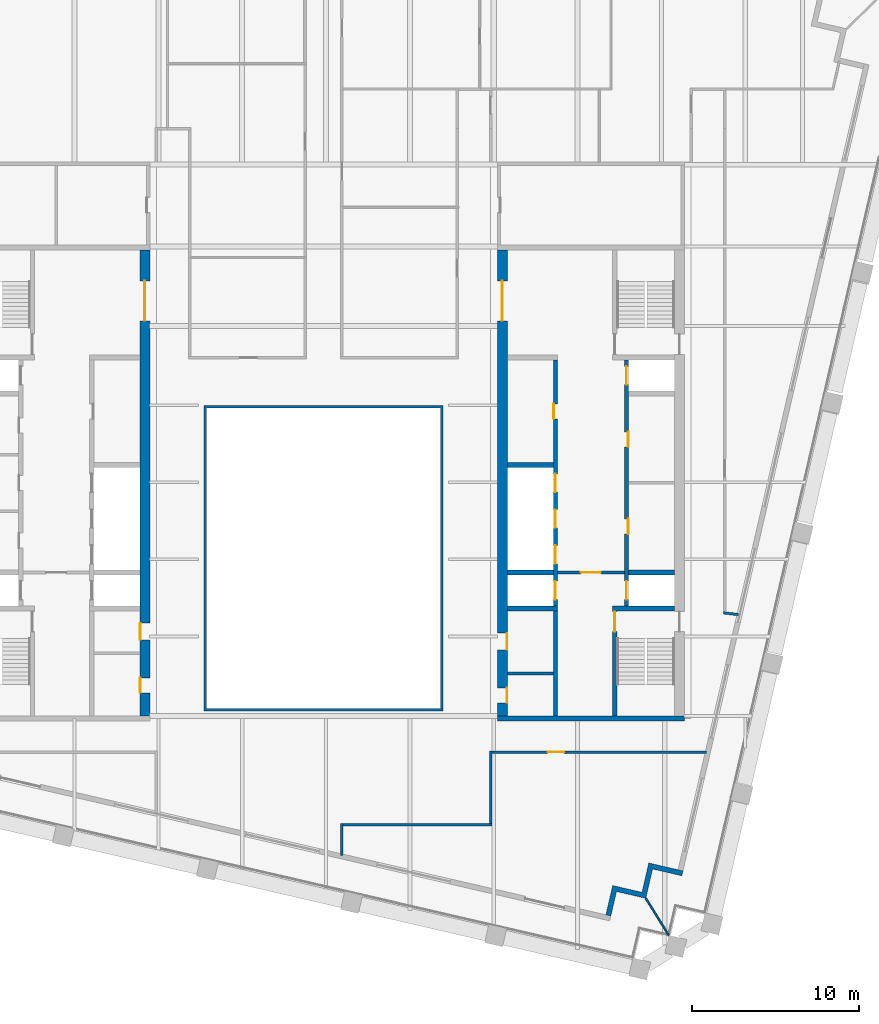
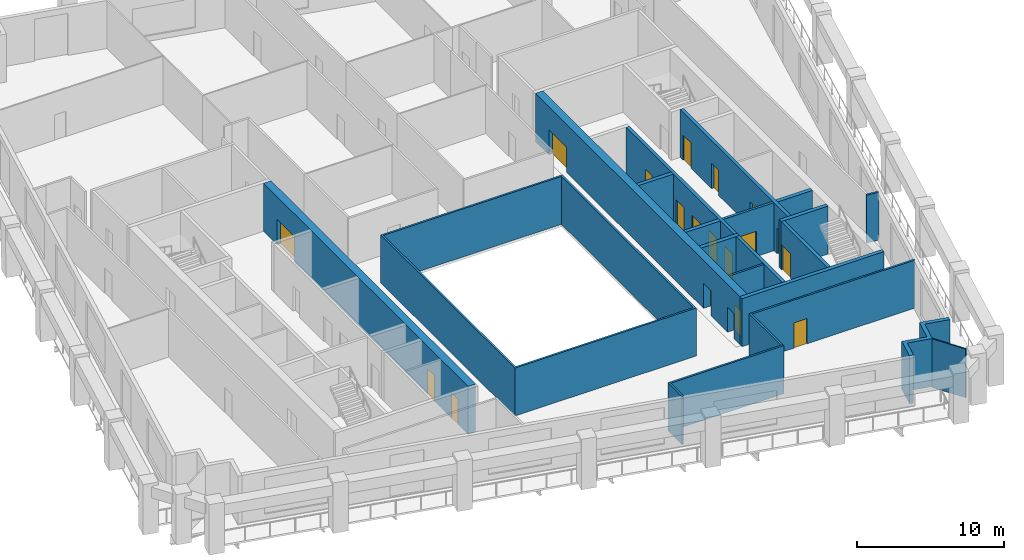
# One storey, part 5 of 10: 21 walls, 18 doors, 18 openings.
"""IFC4 building model written with IfcOpenShell, lengths in metres."""

from ifc_helpers import new_model, si_unit, direction, frame, frame_2d, origin, place, context, subcontext, project, spatial, polyline, rectangle, outline, extrude, material, layer, layer_set, type_object, element, fill, save


model = new_model("IFC4")

# Units and contexts
model_context = context("Model", 3, precision=1e-05, world=origin(), true_north=direction((0.0, 1.0)))
body_context = subcontext(model_context, "Body", "Model", "MODEL_VIEW")
ifc_project = project(units=[si_unit("LENGTHUNIT", "METRE"), si_unit("AREAUNIT", "SQUARE_METRE"), si_unit("VOLUMEUNIT", "CUBIC_METRE"), si_unit("PLANEANGLEUNIT", "RADIAN"), si_unit("MASSUNIT", "GRAM", prefix="KILO")], contexts=[model_context])

# Site, building, storey
site_placement = place(None, origin())
site = spatial("IfcSite", under=ifc_project, at=site_placement, CompositionType="ELEMENT")
building_placement = place(site_placement, origin())
building = spatial("IfcBuilding", under=site, at=building_placement, Name="Ogive Exchange Tower", CompositionType="ELEMENT")
storey_placement = place(building_placement, frame((0.0, 0.0, 251.39990234375)))
storey = spatial("IfcBuildingStorey", under=building, at=storey_placement, Name="L54", CompositionType="ELEMENT", Elevation=251.39990234375)

# Walls
ifc_material_1 = material(Name="Gypsum board partition")
ifc_layer_1 = layer(ifc_material_1, 0.14990234375)
ifc_layer_set_1 = layer_set([ifc_layer_1], Name="Core room partition 150 gypsum")
wall_type_1 = type_object("IfcWallType", Name="Core room partition 150 gypsum", PredefinedType="PARTITIONING", material=ifc_layer_set_1)
wall_1_placement = place(storey_placement, frame((11.0, 0.10009765625, 0.0), z_axis=(0.0, 0.0, 1.0), x_axis=(1.0, 0.0, 0.0)))
element("IfcWall", 1, at=wall_1_placement, inside=storey, type_object=wall_type_1, Name="E south room partition", PredefinedType="PARTITIONING", context=body_context, shape_type="SweptSolid", body=[
    extrude(rectangle(XDim=2.75, YDim=0.14990234375, at=frame_2d((1.375, 0.0))), origin(), (0.0, 0.0, 1.0), 4.0),
])
ifc_material_2 = material(Name="Fire partition EI 60 150")
ifc_layer_2 = layer(ifc_material_2, 0.14990234375)
ifc_layer_set_2 = layer_set([ifc_layer_2], Name="Fire partition EI 60 150")
wall_type_2 = type_object("IfcWallType", Name="Fire partition EI 60 150", PredefinedType="PARTITIONING", material=ifc_layer_set_2)
wall_2_placement = place(storey_placement, frame((1.10009765625, -8.864990234375, 0.0), z_axis=(0.0, 0.0, 1.0), x_axis=(0.0, -1.0, 0.0)))
element("IfcWall", 2, at=wall_2_placement, inside=storey, type_object=wall_type_2, Name="L54-PWL-027", PredefinedType="PARTITIONING", context=body_context, shape_type="SweptSolid", body=[
    extrude(rectangle(XDim=1.9130859375, YDim=0.14990234375, at=frame_2d((0.95654296875, 0.0))), origin(), (0.0, 0.0, 1.0), 4.0),
])
wall_3_placement = place(storey_placement, frame((10.074951171875, -8.93994140625, 0.0), z_axis=(0.0, 0.0, 1.0), x_axis=(-1.0, 0.0, 0.0)))
element("IfcWall", 3, at=wall_3_placement, inside=storey, type_object=wall_type_2, Name="L54-PWL-042", PredefinedType="PARTITIONING", context=body_context, shape_type="SweptSolid", body=[
    extrude(rectangle(XDim=8.89990234375, YDim=0.14990234375, at=frame_2d((4.449951171875, 0.0))), origin(), (0.0, 0.0, 1.0), 4.0),
])
wall_4_placement = place(storey_placement, frame((10.0, -4.52490234375, 0.0), z_axis=(0.0, 0.0, 1.0), x_axis=(0.0, -1.0, 0.0)))
element("IfcWall", 4, at=wall_4_placement, inside=storey, type_object=wall_type_2, Name="L54-PWL-043", PredefinedType="PARTITIONING", context=body_context, shape_type="SweptSolid", body=[
    extrude(rectangle(XDim=4.340087890625, YDim=0.14990234375, at=frame_2d((2.169921875, 0.0))), origin(), (0.0, 0.0, 1.0), 4.0),
])

# Wall, opening, door
wall_5_placement = place(storey_placement, frame((22.922119140625, -4.60009765625, 0.0), z_axis=(0.0, 0.0, 1.0), x_axis=(-1.0, 0.0, 0.0)))
wall_5 = element("IfcWall", 5, at=wall_5_placement, inside=storey, type_object=wall_type_2, Name="L54-PWL-051", PredefinedType="PARTITIONING", context=body_context, shape_type="SweptSolid", body=[
    extrude(rectangle(XDim=12.84716796875, YDim=0.14990234375, at=frame_2d((6.423583984375, 0.0))), origin(), (0.0, 0.0, 1.0), 4.0),
])
opening_1_placement = place(wall_5_placement, frame((8.52197265625, 0.0, 0.0)))
opening_1 = element("IfcOpeningElement", 6, at=opening_1_placement, cuts=wall_5, Name="Opening L54-I15", PredefinedType="OPENING", context=body_context, shape_type="SweptSolid", body=[
    extrude(rectangle(XDim=1.0, YDim=2.10009765625, at=frame_2d((0.5, 1.050048828125))), frame((0.0, 0.0849609375, 0.0), z_axis=(0.0, -1.0, 0.0), x_axis=(1.0, 0.0, 0.0)), (0.0, 0.0, 1.0), 0.169921875),
])
ifc_material_3 = material(Name="Fire door FD 30S 1000 x 2100")
door_type_1 = type_object("IfcDoorType", Name="Fire door FD 30S 1000 x 2100", OperationType="NOTDEFINED", PredefinedType="DOOR", material=ifc_material_3)
door_1_placement = place(opening_1_placement, origin())
door_1 = element("IfcDoor", 7, at=door_1_placement, inside=storey, type_object=door_type_1, Name="L54-IDR-015", ObjectType="DT3", OperationType="SINGLE_SWING_LEFT", OverallHeight=2.10009765625, OverallWidth=1.0, PredefinedType="DOOR", context=body_context, shape_type="SweptSolid", body=[
    extrude(rectangle(XDim=1.0, YDim=2.10009765625, at=frame_2d((0.5, 1.050048828125))), frame((0.0, 0.02490234375, 0.0), z_axis=(0.0, -1.0, 0.0), x_axis=(1.0, 0.0, 0.0)), (0.0, 0.0, 1.0), 0.050048828125),
])
fill(opening_1, door_1)

# Walls
wall_6_placement = place(storey_placement, frame((23.925048828125, 3.72900390625, 0.0), z_axis=(0.0, 0.0, 1.0), x_axis=(0.993316052643, -0.115426251616, 0.0)))
element("IfcWall", 8, at=wall_6_placement, inside=storey, type_object=wall_type_2, Name="L54-PWL-054", PredefinedType="PARTITIONING", context=body_context, shape_type="SweptSolid", body=[
    extrude(rectangle(XDim=0.901123046875, YDim=0.14990234375, at=frame_2d((0.45068359375, 0.0))), origin(), (0.0, 0.0, 1.0), 4.0),
])
ifc_material_4 = material(Name="Fire-resisting glass in steel frame", Category="steel")
ifc_layer_3 = layer(ifc_material_4, 0.14990234375)
ifc_layer_set_3 = layer_set([ifc_layer_3], Name="Fire-rated glazed wall 150")
wall_type_3 = type_object("IfcWallType", Name="Fire-rated glazed wall 150", PredefinedType="STANDARD", material=ifc_layer_set_3)
wall_7_placement = place(storey_placement, origin())
element("IfcWall", 9, at=wall_7_placement, inside=storey, type_object=wall_type_3, Name="Nave enclosure wall", PredefinedType="STANDARD", context=body_context, shape_type="SweptSolid", body=[
    extrude(outline(polyline([(-7.14990234375, -2.14990234375), (7.14990234375, -2.14990234375), (7.14990234375, 16.14990234375), (-7.14990234375, 16.14990234375), (-7.14990234375, -2.14990234375)]), holes=[polyline([(-7.0, -2.0), (-7.0, 16.0), (7.0, 16.0), (7.0, -2.0), (-7.0, -2.0)])]), origin(), (0.0, 0.0, 1.0), 4.0),
])
ifc_material_5 = material(Name="Precast concrete C40/50", Category="concrete")
ifc_layer_4 = layer(ifc_material_5, 0.300048828125)
ifc_layer_set_4 = layer_set([ifc_layer_4], Name="Limestone-faced wall 300")
wall_type_4 = type_object("IfcWallType", Name="Limestone-faced wall 300", PredefinedType="STANDARD", material=ifc_layer_set_4)
wall_8_placement = place(storey_placement, origin())
element("IfcWall", 10, at=wall_8_placement, inside=storey, type_object=wall_type_4, Name="External corner wall C1", PredefinedType="STANDARD", context=body_context, shape_type="SweptSolid", body=[
    extrude(outline(polyline([(19.053955078125, -12.993408203125), (19.458740234375, -11.239501953125), (21.5048828125, -11.7119140625), (21.4375, -12.004150390625), (19.68359375, -11.599365234375), (19.27880859375, -13.353271484375), (17.52490234375, -12.9482421875), (17.1875, -14.409912109375), (16.89501953125, -14.34228515625), (17.300048828125, -12.58837890625), (19.053955078125, -12.993408203125)])), origin(), (0.0, 0.0, 1.0), 4.0),
])
ifc_material_6 = material(Name="Laminated safety glass in steel frame", Category="steel")
ifc_layer_5 = layer(ifc_material_6, 0.10009765625)
ifc_layer_set_5 = layer_set([ifc_layer_5], Name="Loggia end screen 100")
wall_type_5 = type_object("IfcWallType", Name="Loggia end screen 100", PredefinedType="STANDARD", material=ifc_layer_set_5)
wall_9_placement = place(storey_placement, frame((19.27880859375, -13.353271484375, -0.0498046875), z_axis=(0.0, 0.0, 1.0), x_axis=(0.529914407191, -0.848051131154, 0.0)))
element("IfcWall", 11, at=wall_9_placement, inside=storey, type_object=wall_type_5, Name="Loggia end screen C1", PredefinedType="STANDARD", context=body_context, shape_type="SweptSolid", body=[
    extrude(rectangle(XDim=2.59619140625, YDim=0.10009765625, at=frame_2d((1.298095703125, 0.0))), origin(), (0.0, 0.0, 1.0), 4.0498046875),
])

# Wall, opening, door
ifc_material_7 = material(Name="Concrete C70/85", Category="concrete")
ifc_layer_6 = layer(ifc_material_7, 0.199951171875)
ifc_layer_set_6 = layer_set([ifc_layer_6], Name="RC core wall 200 C70/85")
wall_type_6 = type_object("IfcWallType", Name="RC core wall 200 C70/85", PredefinedType="SHEAR", material=ifc_layer_set_6)
wall_10_placement = place(storey_placement, frame((14.0, 6.142822265625, 0.0), z_axis=(0.0, 0.0, 1.0), x_axis=(1.0, 0.0, 0.0)))
wall_10 = element("IfcWall", 12, at=wall_10_placement, inside=storey, type_object=wall_type_6, Name="E firefighting lobby wall", PredefinedType="SHEAR", context=body_context, shape_type="SweptSolid", body=[
    extrude(rectangle(XDim=4.0, YDim=0.199951171875, at=frame_2d((2.0, 0.0))), origin(), (0.0, 0.0, 1.0), 4.0),
])
opening_2_placement = place(wall_10_placement, frame((1.39990234375, 0.0, 0.0)))
opening_2 = element("IfcOpeningElement", 13, at=opening_2_placement, cuts=wall_10, Name="Opening L54-C30", PredefinedType="OPENING", context=body_context, shape_type="SweptSolid", body=[
    extrude(rectangle(XDim=1.199951171875, YDim=2.10009765625, at=frame_2d((0.60009765625, 1.050048828125))), frame((0.0, 0.10986328125, 0.0), z_axis=(0.0, -1.0, 0.0), x_axis=(1.0, 0.0, 0.0)), (0.0, 0.0, 1.0), 0.219970703125),
])
ifc_material_8 = material(Name="Steel fire door", Category="steel")
door_type_2 = type_object("IfcDoorType", Name="Firefighting lobby door FD60 1200 x 2100", OperationType="NOTDEFINED", PredefinedType="DOOR", material=ifc_material_8)
door_2_placement = place(opening_2_placement, frame((1.199951171875, 0.0, 0.0), z_axis=(0.0, 0.0, 1.0), x_axis=(-1.0, 0.0, 0.0)))
door_2 = element("IfcDoor", 14, at=door_2_placement, inside=storey, type_object=door_type_2, Name="Firefighting lobby door", ObjectType="CD3", OperationType="SINGLE_SWING_RIGHT", OverallHeight=2.10009765625, OverallWidth=1.199951171875, PredefinedType="DOOR", context=body_context, shape_type="SweptSolid", body=[
    extrude(rectangle(XDim=1.199951171875, YDim=2.10009765625, at=frame_2d((0.60009765625, 1.050048828125))), frame((0.0, 0.02490234375, 0.0), z_axis=(0.0, -1.0, 0.0), x_axis=(1.0, 0.0, 0.0)), (0.0, 0.0, 1.0), 0.050048828125),
])
fill(opening_2, door_2)

ifc_layer_7 = layer(ifc_material_7, 0.25)
ifc_layer_set_7 = layer_set([ifc_layer_7], Name="RC core wall 250 C70/85")
wall_type_7 = type_object("IfcWallType", Name="RC core wall 250 C70/85", PredefinedType="SHEAR", material=ifc_layer_set_7)
wall_11_placement = place(storey_placement, frame((17.425048828125, -2.449951171875, 0.0), z_axis=(0.0, 0.0, 1.0), x_axis=(0.0, 1.0, 0.0)))
wall_11 = element("IfcWall", 15, at=wall_11_placement, inside=storey, type_object=wall_type_7, Name="E stair S front wall", PredefinedType="SHEAR", context=body_context, shape_type="SweptSolid", body=[
    extrude(rectangle(XDim=6.300048828125, YDim=0.25, at=frame_2d((3.14990234375, 0.0))), origin(), (0.0, 0.0, 1.0), 4.0),
])
opening_3_placement = place(wall_11_placement, frame((5.050048828125, 0.0, 0.0)))
opening_3 = element("IfcOpeningElement", 16, at=opening_3_placement, cuts=wall_11, Name="Opening L54-C32", PredefinedType="OPENING", context=body_context, shape_type="SweptSolid", body=[
    extrude(rectangle(XDim=1.199951171875, YDim=2.10009765625, at=frame_2d((0.60009765625, 1.050048828125))), frame((0.0, 0.135009765625, 0.0), z_axis=(0.0, -1.0, 0.0), x_axis=(1.0, 0.0, 0.0)), (0.0, 0.0, 1.0), 0.27001953125),
])
door_type_3 = type_object("IfcDoorType", Name="Stair door FD90 1200 x 2100", OperationType="NOTDEFINED", PredefinedType="DOOR", material=ifc_material_8)
door_3_placement = place(opening_3_placement, frame((1.199951171875, 0.0, 0.0), z_axis=(0.0, 0.0, 1.0), x_axis=(-1.0, 0.0, 0.0)))
door_3 = element("IfcDoor", 17, at=door_3_placement, inside=storey, type_object=door_type_3, Name="Stair door", ObjectType="CD5", OperationType="SINGLE_SWING_RIGHT", OverallHeight=2.10009765625, OverallWidth=1.199951171875, PredefinedType="DOOR", context=body_context, shape_type="SweptSolid", body=[
    extrude(rectangle(XDim=1.199951171875, YDim=2.10009765625, at=frame_2d((0.60009765625, 1.050048828125))), frame((0.0, 0.02490234375, 0.0), z_axis=(0.0, -1.0, 0.0), x_axis=(1.0, 0.0, 0.0)), (0.0, 0.0, 1.0), 0.050048828125),
])
fill(opening_3, door_3)

# Wall, openings, doors
wall_12_placement = place(storey_placement, frame((18.125, 4.14990234375, 0.0), z_axis=(0.0, 0.0, 1.0), x_axis=(0.0, 1.0, 0.0)))
wall_12 = element("IfcWall", 18, at=wall_12_placement, inside=storey, type_object=wall_type_7, Name="E row A front wall", PredefinedType="SHEAR", context=body_context, shape_type="SweptSolid", body=[
    extrude(rectangle(XDim=14.7001953125, YDim=0.25, at=frame_2d((7.35009765625, 0.0))), origin(), (0.0, 0.0, 1.0), 4.0),
])
opening_4_placement = place(wall_12_placement, frame((4.29638671875, 0.0, 0.0)))
opening_4 = element("IfcOpeningElement", 19, at=opening_4_placement, cuts=wall_12, Name="Opening L54-C21", PredefinedType="OPENING", context=body_context, shape_type="SweptSolid", body=[
    extrude(rectangle(XDim=0.89990234375, YDim=2.10009765625, at=frame_2d((0.449951171875, 1.050048828125))), frame((0.0, 0.135009765625, 0.0), z_axis=(0.0, -1.0, 0.0), x_axis=(1.0, 0.0, 0.0)), (0.0, 0.0, 1.0), 0.27001953125),
])
opening_5_placement = place(wall_12_placement, frame((9.503662109375, 0.0, 0.0)))
opening_5 = element("IfcOpeningElement", 20, at=opening_5_placement, cuts=wall_12, Name="Opening L54-C22", PredefinedType="OPENING", context=body_context, shape_type="SweptSolid", body=[
    extrude(rectangle(XDim=0.89990234375, YDim=2.10009765625, at=frame_2d((0.449951171875, 1.050048828125))), frame((0.0, 0.135009765625, 0.0), z_axis=(0.0, -1.0, 0.0), x_axis=(1.0, 0.0, 0.0)), (0.0, 0.0, 1.0), 0.27001953125),
])
opening_6_placement = place(wall_12_placement, frame((0.371337890625, 0.0, 0.0)))
opening_6 = element("IfcOpeningElement", 21, at=opening_6_placement, cuts=wall_12, Name="Opening L54-C23", PredefinedType="OPENING", context=body_context, shape_type="SweptSolid", body=[
    extrude(rectangle(XDim=1.10009765625, YDim=2.10009765625, at=frame_2d((0.550048828125, 1.050048828125))), frame((0.0, 0.135009765625, 0.0), z_axis=(0.0, -1.0, 0.0), x_axis=(1.0, 0.0, 0.0)), (0.0, 0.0, 1.0), 0.27001953125),
])
opening_7_placement = place(wall_12_placement, frame((13.228515625, 0.0, 0.0)))
opening_7 = element("IfcOpeningElement", 22, at=opening_7_placement, cuts=wall_12, Name="Opening L54-C24", PredefinedType="OPENING", context=body_context, shape_type="SweptSolid", body=[
    extrude(rectangle(XDim=1.10009765625, YDim=2.10009765625, at=frame_2d((0.550048828125, 1.050048828125))), frame((0.0, 0.135009765625, 0.0), z_axis=(0.0, -1.0, 0.0), x_axis=(1.0, 0.0, 0.0)), (0.0, 0.0, 1.0), 0.27001953125),
])
ifc_material_9 = material(Name="Timber fire door", Category="wood")
door_type_4 = type_object("IfcDoorType", Name="Core room door FD30S 900 x 2100", OperationType="NOTDEFINED", PredefinedType="DOOR", material=ifc_material_9)
door_4_placement = place(opening_5_placement, frame((0.89990234375, -0.2001953125, 0.0), z_axis=(0.0, 0.0, 1.0), x_axis=(-1.0, 0.0, 0.0)))
door_4 = element("IfcDoor", 23, at=door_4_placement, inside=storey, type_object=door_type_4, Name="Core room door", ObjectType="CD6", OperationType="SINGLE_SWING_LEFT", OverallHeight=2.10009765625, OverallWidth=0.89990234375, PredefinedType="DOOR", context=body_context, shape_type="SweptSolid", body=[
    extrude(rectangle(XDim=0.89990234375, YDim=2.10009765625, at=frame_2d((0.449951171875, 1.050048828125))), frame((0.0, -0.0751953125, 0.0), z_axis=(0.0, -1.0, 0.0), x_axis=(1.0, 0.0, 0.0)), (0.0, 0.0, 1.0), 0.050048828125),
])
fill(opening_5, door_4)
ifc_material_10 = material(Name="Stainless steel", Category="steel")
door_type_5 = type_object("IfcDoorType", Name="Lift landing door FD90 1100 x 2100", OperationType="SLIDING_TO_LEFT", PredefinedType="DOOR", material=ifc_material_10)
door_5_placement = place(opening_6_placement, origin())
door_5 = element("IfcDoor", 24, at=door_5_placement, inside=storey, type_object=door_type_5, Name="Lift landing door FF2", ObjectType="LD", OperationType="SLIDING_TO_LEFT", OverallHeight=2.10009765625, OverallWidth=1.10009765625, PredefinedType="DOOR", context=body_context, shape_type="SweptSolid", body=[
    extrude(rectangle(XDim=1.10009765625, YDim=2.10009765625, at=frame_2d((0.550048828125, 1.050048828125))), frame((0.0, 0.02490234375, 0.0), z_axis=(0.0, -1.0, 0.0), x_axis=(1.0, 0.0, 0.0)), (0.0, 0.0, 1.0), 0.050048828125),
])
fill(opening_6, door_5)
door_6_placement = place(opening_7_placement, origin())
door_6 = element("IfcDoor", 25, at=door_6_placement, inside=storey, type_object=door_type_5, Name="Lift landing door E-SH2", ObjectType="LD", OperationType="SLIDING_TO_LEFT", OverallHeight=2.10009765625, OverallWidth=1.10009765625, PredefinedType="DOOR", context=body_context, shape_type="SweptSolid", body=[
    extrude(rectangle(XDim=1.10009765625, YDim=2.10009765625, at=frame_2d((0.550048828125, 1.050048828125))), frame((0.0, 0.02490234375, 0.0), z_axis=(0.0, -1.0, 0.0), x_axis=(1.0, 0.0, 0.0)), (0.0, 0.0, 1.0), 0.050048828125),
])
fill(opening_7, door_6)
door_type_6 = type_object("IfcDoorType", Name="Riser door FD60 900 x 2100", OperationType="NOTDEFINED", PredefinedType="DOOR", material=ifc_material_8)
door_7_placement = place(opening_4_placement, frame((0.89990234375, -0.2001953125, 0.0), z_axis=(0.0, 0.0, 1.0), x_axis=(-1.0, 0.0, 0.0)))
door_7 = element("IfcDoor", 26, at=door_7_placement, inside=storey, type_object=door_type_6, Name="Riser door", ObjectType="CD2", OperationType="SINGLE_SWING_LEFT", OverallHeight=2.10009765625, OverallWidth=0.89990234375, PredefinedType="DOOR", context=body_context, shape_type="SweptSolid", body=[
    extrude(rectangle(XDim=0.89990234375, YDim=2.10009765625, at=frame_2d((0.449951171875, 1.050048828125))), frame((0.0, -0.0751953125, 0.0), z_axis=(0.0, -1.0, 0.0), x_axis=(1.0, 0.0, 0.0)), (0.0, 0.0, 1.0), 0.050048828125),
])
fill(opening_4, door_7)

wall_13_placement = place(storey_placement, frame((13.875, -2.449951171875, 0.0), z_axis=(0.0, 0.0, 1.0), x_axis=(0.0, 1.0, 0.0)))
wall_13 = element("IfcWall", 27, at=wall_13_placement, inside=storey, type_object=wall_type_7, Name="E row B front wall", PredefinedType="SHEAR", context=body_context, shape_type="SweptSolid", body=[
    extrude(rectangle(XDim=21.300048828125, YDim=0.25, at=frame_2d((10.64990234375, 0.0))), origin(), (0.0, 0.0, 1.0), 4.0),
])
opening_8_placement = place(wall_13_placement, frame((17.78564453125, 0.0, 0.0)))
opening_8 = element("IfcOpeningElement", 28, at=opening_8_placement, cuts=wall_13, Name="Opening L54-C25", PredefinedType="OPENING", context=body_context, shape_type="SweptSolid", body=[
    extrude(rectangle(XDim=0.89990234375, YDim=2.10009765625, at=frame_2d((0.449951171875, 1.050048828125))), frame((0.0, 0.135009765625, 0.0), z_axis=(0.0, -1.0, 0.0), x_axis=(1.0, 0.0, 0.0)), (0.0, 0.0, 1.0), 0.27001953125),
])
opening_9_placement = place(wall_13_placement, frame((6.971435546875, 0.0, 0.0)))
opening_9 = element("IfcOpeningElement", 29, at=opening_9_placement, cuts=wall_13, Name="Opening L54-C26", PredefinedType="OPENING", context=body_context, shape_type="SweptSolid", body=[
    extrude(rectangle(XDim=1.10009765625, YDim=2.10009765625, at=frame_2d((0.550048828125, 1.050048828125))), frame((0.0, 0.135009765625, 0.0), z_axis=(0.0, -1.0, 0.0), x_axis=(1.0, 0.0, 0.0)), (0.0, 0.0, 1.0), 0.27001953125),
])
opening_10_placement = place(wall_13_placement, frame((9.1142578125, 0.0, 0.0)))
opening_10 = element("IfcOpeningElement", 30, at=opening_10_placement, cuts=wall_13, Name="Opening L54-C27", PredefinedType="OPENING", context=body_context, shape_type="SweptSolid", body=[
    extrude(rectangle(XDim=1.10009765625, YDim=2.10009765625, at=frame_2d((0.550048828125, 1.050048828125))), frame((0.0, 0.135009765625, 0.0), z_axis=(0.0, -1.0, 0.0), x_axis=(1.0, 0.0, 0.0)), (0.0, 0.0, 1.0), 0.27001953125),
])
opening_11_placement = place(wall_13_placement, frame((11.257080078125, 0.0, 0.0)))
opening_11 = element("IfcOpeningElement", 31, at=opening_11_placement, cuts=wall_13, Name="Opening L54-C28", PredefinedType="OPENING", context=body_context, shape_type="SweptSolid", body=[
    extrude(rectangle(XDim=1.10009765625, YDim=2.10009765625, at=frame_2d((0.550048828125, 1.050048828125))), frame((0.0, 0.135009765625, 0.0), z_axis=(0.0, -1.0, 0.0), x_axis=(1.0, 0.0, 0.0)), (0.0, 0.0, 1.0), 0.27001953125),
])
opening_12_placement = place(wall_13_placement, frame((13.39990234375, 0.0, 0.0)))
opening_12 = element("IfcOpeningElement", 32, at=opening_12_placement, cuts=wall_13, Name="Opening L54-C29", PredefinedType="OPENING", context=body_context, shape_type="SweptSolid", body=[
    extrude(rectangle(XDim=1.10009765625, YDim=2.10009765625, at=frame_2d((0.550048828125, 1.050048828125))), frame((0.0, 0.135009765625, 0.0), z_axis=(0.0, -1.0, 0.0), x_axis=(1.0, 0.0, 0.0)), (0.0, 0.0, 1.0), 0.27001953125),
])
door_8_placement = place(opening_9_placement, origin())
door_8 = element("IfcDoor", 33, at=door_8_placement, inside=storey, type_object=door_type_5, Name="Lift landing door SV2", ObjectType="LD", OperationType="SLIDING_TO_LEFT", OverallHeight=2.10009765625, OverallWidth=1.10009765625, PredefinedType="DOOR", context=body_context, shape_type="SweptSolid", body=[
    extrude(rectangle(XDim=1.10009765625, YDim=2.10009765625, at=frame_2d((0.550048828125, 1.050048828125))), frame((0.0, 0.02490234375, 0.0), z_axis=(0.0, -1.0, 0.0), x_axis=(1.0, 0.0, 0.0)), (0.0, 0.0, 1.0), 0.050048828125),
])
fill(opening_9, door_8)
door_9_placement = place(opening_10_placement, origin())
door_9 = element("IfcDoor", 34, at=door_9_placement, inside=storey, type_object=door_type_5, Name="Lift landing door E-M1", ObjectType="LD", OperationType="SLIDING_TO_LEFT", OverallHeight=2.10009765625, OverallWidth=1.10009765625, PredefinedType="DOOR", context=body_context, shape_type="SweptSolid", body=[
    extrude(rectangle(XDim=1.10009765625, YDim=2.10009765625, at=frame_2d((0.550048828125, 1.050048828125))), frame((0.0, 0.02490234375, 0.0), z_axis=(0.0, -1.0, 0.0), x_axis=(1.0, 0.0, 0.0)), (0.0, 0.0, 1.0), 0.050048828125),
])
fill(opening_10, door_9)
door_10_placement = place(opening_11_placement, origin())
door_10 = element("IfcDoor", 35, at=door_10_placement, inside=storey, type_object=door_type_5, Name="Lift landing door E-M2", ObjectType="LD", OperationType="SLIDING_TO_LEFT", OverallHeight=2.10009765625, OverallWidth=1.10009765625, PredefinedType="DOOR", context=body_context, shape_type="SweptSolid", body=[
    extrude(rectangle(XDim=1.10009765625, YDim=2.10009765625, at=frame_2d((0.550048828125, 1.050048828125))), frame((0.0, 0.02490234375, 0.0), z_axis=(0.0, -1.0, 0.0), x_axis=(1.0, 0.0, 0.0)), (0.0, 0.0, 1.0), 0.050048828125),
])
fill(opening_11, door_10)
door_11_placement = place(opening_12_placement, origin())
door_11 = element("IfcDoor", 36, at=door_11_placement, inside=storey, type_object=door_type_5, Name="Lift landing door E-M3", ObjectType="LD", OperationType="SLIDING_TO_LEFT", OverallHeight=2.10009765625, OverallWidth=1.10009765625, PredefinedType="DOOR", context=body_context, shape_type="SweptSolid", body=[
    extrude(rectangle(XDim=1.10009765625, YDim=2.10009765625, at=frame_2d((0.550048828125, 1.050048828125))), frame((0.0, 0.02490234375, 0.0), z_axis=(0.0, -1.0, 0.0), x_axis=(1.0, 0.0, 0.0)), (0.0, 0.0, 1.0), 0.050048828125),
])
fill(opening_12, door_11)
door_12_placement = place(opening_8_placement, origin())
door_12 = element("IfcDoor", 37, at=door_12_placement, inside=storey, type_object=door_type_6, Name="Riser door", ObjectType="CD2", OperationType="SINGLE_SWING_LEFT", OverallHeight=2.10009765625, OverallWidth=0.89990234375, PredefinedType="DOOR", context=body_context, shape_type="SweptSolid", body=[
    extrude(rectangle(XDim=0.89990234375, YDim=2.10009765625, at=frame_2d((0.449951171875, 1.050048828125))), frame((0.0, 0.125, 0.0), z_axis=(0.0, -1.0, 0.0), x_axis=(1.0, 0.0, 0.0)), (0.0, 0.0, 1.0), 0.050048828125),
])
fill(opening_8, door_12)

# Walls
ifc_layer_8 = layer(ifc_material_7, 0.300048828125)
ifc_layer_set_8 = layer_set([ifc_layer_8], Name="RC core wall 300 C70/85")
wall_type_8 = type_object("IfcWallType", Name="RC core wall 300 C70/85", PredefinedType="SHEAR", material=ifc_layer_set_8)
wall_14_placement = place(storey_placement, frame((10.39990234375, -2.60009765625, 0.0), z_axis=(0.0, 0.0, 1.0), x_axis=(1.0, 0.0, 0.0)))
element("IfcWall", 38, at=wall_14_placement, inside=storey, type_object=wall_type_8, Name="E south end wall", PredefinedType="SHEAR", context=body_context, shape_type="SweptSolid", body=[
    extrude(rectangle(XDim=11.2001953125, YDim=0.300048828125, at=frame_2d((5.60009765625, 0.0))), origin(), (0.0, 0.0, 1.0), 4.0),
])
wall_15_placement = place(storey_placement, frame((17.300048828125, 4.0, 0.0), z_axis=(0.0, 0.0, 1.0), x_axis=(1.0, 0.0, 0.0)))
element("IfcWall", 39, at=wall_15_placement, inside=storey, type_object=wall_type_8, Name="E stair S north wall", PredefinedType="SHEAR", context=body_context, shape_type="SweptSolid", body=[
    extrude(rectangle(XDim=3.699951171875, YDim=0.300048828125, at=frame_2d((1.85009765625, 0.0))), origin(), (0.0, 0.0, 1.0), 4.0),
])
wall_16_placement = place(storey_placement, frame((18.25, 6.142822265625, 0.0), z_axis=(0.0, 0.0, 1.0), x_axis=(1.0, 0.0, 0.0)))
element("IfcWall", 40, at=wall_16_placement, inside=storey, type_object=wall_type_8, Name="E row A divider 1", PredefinedType="SHEAR", context=body_context, shape_type="SweptSolid", body=[
    extrude(rectangle(XDim=2.75, YDim=0.300048828125, at=frame_2d((1.375, 0.0))), origin(), (0.0, 0.0, 1.0), 4.0),
])
wall_17_placement = place(storey_placement, frame((11.0, 4.0, 0.0), z_axis=(0.0, 0.0, 1.0), x_axis=(1.0, 0.0, 0.0)))
element("IfcWall", 41, at=wall_17_placement, inside=storey, type_object=wall_type_8, Name="E row B divider 0", PredefinedType="SHEAR", context=body_context, shape_type="SweptSolid", body=[
    extrude(rectangle(XDim=3.0, YDim=0.300048828125, at=frame_2d((1.5, 0.0))), origin(), (0.0, 0.0, 1.0), 4.0),
])
for number, where, z_axis, x_axis, name in (
    (42, (11.0, 6.142822265625, 0.0), (0.0, 0.0, 1.0), (1.0, 0.0, 0.0), "E row B divider 1"),
    (43, (11.0, 12.5712890625, 0.0), (0.0, 0.0, 1.0), (1.0, 0.0, 0.0), "E row B divider 4"),
):
    element("IfcWall", number, at=place(storey_placement, frame(where, z_axis=z_axis, x_axis=x_axis)), inside=storey, type_object=wall_type_8, Name=name, PredefinedType="SHEAR", context=body_context, shape_type="SweptSolid", body=[
        extrude(rectangle(XDim=2.75, YDim=0.300048828125, at=frame_2d((1.375, 0.0))), origin(), (0.0, 0.0, 1.0), 4.0),
    ])

# Wall, openings, doors
ifc_layer_9 = layer(ifc_material_7, 0.60009765625)
ifc_layer_set_9 = layer_set([ifc_layer_9], Name="RC core wall 600 C70/85")
wall_type_9 = type_object("IfcWallType", Name="RC core wall 600 C70/85", PredefinedType="SHEAR", material=ifc_layer_set_9)
wall_18_placement = place(storey_placement, frame((-10.699951171875, -2.449951171875, 0.0), z_axis=(0.0, 0.0, 1.0), x_axis=(0.0, 1.0, 0.0)))
wall_18 = element("IfcWall", 44, at=wall_18_placement, inside=storey, type_object=wall_type_9, Name="W inner wall", PredefinedType="SHEAR", context=body_context, shape_type="SweptSolid", body=[
    extrude(rectangle(XDim=27.89990234375, YDim=0.60009765625, at=frame_2d((13.949951171875, 0.0))), origin(), (0.0, 0.0, 1.0), 4.0),
])
opening_13_placement = place(wall_18_placement, frame((23.64990234375, 0.0, 0.0)))
opening_13 = element("IfcOpeningElement", 45, at=opening_13_placement, cuts=wall_18, Name="Opening L54-C12", PredefinedType="OPENING", context=body_context, shape_type="SweptSolid", body=[
    extrude(rectangle(XDim=2.39990234375, YDim=2.10009765625, at=frame_2d((1.199951171875, 1.050048828125))), frame((0.0, 0.31005859375, 0.0), z_axis=(0.0, -1.0, 0.0), x_axis=(1.0, 0.0, 0.0)), (0.0, 0.0, 1.0), 0.6201171875),
])
opening_14_placement = place(wall_18_placement, frame((1.387451171875, 0.0, 0.0)))
opening_14 = element("IfcOpeningElement", 46, at=opening_14_placement, cuts=wall_18, Name="Opening L54-C17", PredefinedType="OPENING", context=body_context, shape_type="SweptSolid", body=[
    extrude(rectangle(XDim=0.89990234375, YDim=2.10009765625, at=frame_2d((0.449951171875, 1.050048828125))), frame((0.0, 0.31005859375, 0.0), z_axis=(0.0, -1.0, 0.0), x_axis=(1.0, 0.0, 0.0)), (0.0, 0.0, 1.0), 0.6201171875),
])
opening_15_placement = place(wall_18_placement, frame((4.5625, 0.0, 0.0)))
opening_15 = element("IfcOpeningElement", 47, at=opening_15_placement, cuts=wall_18, Name="Opening L54-C18", PredefinedType="OPENING", context=body_context, shape_type="SweptSolid", body=[
    extrude(rectangle(XDim=1.0, YDim=2.10009765625, at=frame_2d((0.5, 1.050048828125))), frame((0.0, 0.31005859375, 0.0), z_axis=(0.0, -1.0, 0.0), x_axis=(1.0, 0.0, 0.0)), (0.0, 0.0, 1.0), 0.6201171875),
])
door_type_7 = type_object("IfcDoorType", Name="Accessible WC door FD30S 1000 x 2100", OperationType="NOTDEFINED", PredefinedType="DOOR", material=ifc_material_9)
door_13_placement = place(opening_15_placement, frame((1.0, 0.5498046875, 0.0), z_axis=(0.0, 0.0, 1.0), x_axis=(-1.0, 0.0, 0.0)))
door_13 = element("IfcDoor", 48, at=door_13_placement, inside=storey, type_object=door_type_7, Name="Accessible WC door", ObjectType="CD7", OperationType="SINGLE_SWING_RIGHT", OverallHeight=2.10009765625, OverallWidth=1.0, PredefinedType="DOOR", context=body_context, shape_type="SweptSolid", body=[
    extrude(rectangle(XDim=1.0, YDim=2.10009765625, at=frame_2d((0.5, 1.050048828125))), frame((0.0, 0.2998046875, 0.0), z_axis=(0.0, -1.0, 0.0), x_axis=(1.0, 0.0, 0.0)), (0.0, 0.0, 1.0), 0.050048828125),
])
fill(opening_15, door_13)
door_14_placement = place(opening_14_placement, frame((0.89990234375, 0.5498046875, 0.0), z_axis=(0.0, 0.0, 1.0), x_axis=(-1.0, 0.0, 0.0)))
door_14 = element("IfcDoor", 49, at=door_14_placement, inside=storey, type_object=door_type_4, Name="Core room door", ObjectType="CD6", OperationType="SINGLE_SWING_LEFT", OverallHeight=2.10009765625, OverallWidth=0.89990234375, PredefinedType="DOOR", context=body_context, shape_type="SweptSolid", body=[
    extrude(rectangle(XDim=0.89990234375, YDim=2.10009765625, at=frame_2d((0.449951171875, 1.050048828125))), frame((0.0, 0.2998046875, 0.0), z_axis=(0.0, -1.0, 0.0), x_axis=(1.0, 0.0, 0.0)), (0.0, 0.0, 1.0), 0.050048828125),
])
fill(opening_14, door_14)
ifc_material_11 = material(Name="Glazed steel fire door", Category="steel")
door_type_8 = type_object("IfcDoorType", Name="Lift lobby double door FD60 2400 x 2100", OperationType="DOUBLE_DOOR_SINGLE_SWING", PredefinedType="DOOR", material=ifc_material_11)
door_15_placement = place(opening_13_placement, frame((2.39990234375, 0.0, 0.0), z_axis=(0.0, 0.0, 1.0), x_axis=(-1.0, 0.0, 0.0)))
door_15 = element("IfcDoor", 50, at=door_15_placement, inside=storey, type_object=door_type_8, Name="Lift lobby double door", ObjectType="CD4", OperationType="DOUBLE_DOOR_SINGLE_SWING", OverallHeight=2.10009765625, OverallWidth=2.39990234375, PredefinedType="DOOR", context=body_context, shape_type="SweptSolid", body=[
    extrude(rectangle(XDim=2.39990234375, YDim=2.10009765625, at=frame_2d((1.199951171875, 1.050048828125))), frame((0.0, 0.02490234375, 0.0), z_axis=(0.0, -1.0, 0.0), x_axis=(1.0, 0.0, 0.0)), (0.0, 0.0, 1.0), 0.050048828125),
])
fill(opening_13, door_15)

wall_19_placement = place(storey_placement, frame((10.699951171875, -2.449951171875, 0.0), z_axis=(0.0, 0.0, 1.0), x_axis=(0.0, 1.0, 0.0)))
wall_19 = element("IfcWall", 51, at=wall_19_placement, inside=storey, type_object=wall_type_9, Name="E inner wall", PredefinedType="SHEAR", context=body_context, shape_type="SweptSolid", body=[
    extrude(rectangle(XDim=27.89990234375, YDim=0.60009765625, at=frame_2d((13.949951171875, 0.0))), origin(), (0.0, 0.0, 1.0), 4.0),
])
opening_16_placement = place(wall_19_placement, frame((23.64990234375, 0.0, 0.0)))
opening_16 = element("IfcOpeningElement", 52, at=opening_16_placement, cuts=wall_19, Name="Opening L54-C31", PredefinedType="OPENING", context=body_context, shape_type="SweptSolid", body=[
    extrude(rectangle(XDim=2.39990234375, YDim=2.10009765625, at=frame_2d((1.199951171875, 1.050048828125))), frame((0.0, 0.31005859375, 0.0), z_axis=(0.0, -1.0, 0.0), x_axis=(1.0, 0.0, 0.0)), (0.0, 0.0, 1.0), 0.6201171875),
])
opening_17_placement = place(wall_19_placement, frame((0.78759765625, 0.0, 0.0)))
opening_17 = element("IfcOpeningElement", 53, at=opening_17_placement, cuts=wall_19, Name="Opening L54-C36", PredefinedType="OPENING", context=body_context, shape_type="SweptSolid", body=[
    extrude(rectangle(XDim=0.89990234375, YDim=2.10009765625, at=frame_2d((0.449951171875, 1.050048828125))), frame((0.0, 0.31005859375, 0.0), z_axis=(0.0, -1.0, 0.0), x_axis=(1.0, 0.0, 0.0)), (0.0, 0.0, 1.0), 0.6201171875),
])
opening_18_placement = place(wall_19_placement, frame((3.96240234375, 0.0, 0.0)))
opening_18 = element("IfcOpeningElement", 54, at=opening_18_placement, cuts=wall_19, Name="Opening L54-C37", PredefinedType="OPENING", context=body_context, shape_type="SweptSolid", body=[
    extrude(rectangle(XDim=1.0, YDim=2.10009765625, at=frame_2d((0.5, 1.050048828125))), frame((0.0, 0.31005859375, 0.0), z_axis=(0.0, -1.0, 0.0), x_axis=(1.0, 0.0, 0.0)), (0.0, 0.0, 1.0), 0.6201171875),
])
door_16_placement = place(opening_18_placement, origin())
door_16 = element("IfcDoor", 55, at=door_16_placement, inside=storey, type_object=door_type_7, Name="Accessible WC door", ObjectType="CD7", OperationType="SINGLE_SWING_RIGHT", OverallHeight=2.10009765625, OverallWidth=1.0, PredefinedType="DOOR", context=body_context, shape_type="SweptSolid", body=[
    extrude(rectangle(XDim=1.0, YDim=2.10009765625, at=frame_2d((0.5, 1.050048828125))), frame((0.0, -0.25, 0.0), z_axis=(0.0, -1.0, 0.0), x_axis=(1.0, 0.0, 0.0)), (0.0, 0.0, 1.0), 0.050048828125),
])
fill(opening_18, door_16)
door_17_placement = place(opening_17_placement, origin())
door_17 = element("IfcDoor", 56, at=door_17_placement, inside=storey, type_object=door_type_4, Name="Core room door", ObjectType="CD6", OperationType="SINGLE_SWING_RIGHT", OverallHeight=2.10009765625, OverallWidth=0.89990234375, PredefinedType="DOOR", context=body_context, shape_type="SweptSolid", body=[
    extrude(rectangle(XDim=0.89990234375, YDim=2.10009765625, at=frame_2d((0.449951171875, 1.050048828125))), frame((0.0, -0.25, 0.0), z_axis=(0.0, -1.0, 0.0), x_axis=(1.0, 0.0, 0.0)), (0.0, 0.0, 1.0), 0.050048828125),
])
fill(opening_17, door_17)
door_18_placement = place(opening_16_placement, origin())
door_18 = element("IfcDoor", 57, at=door_18_placement, inside=storey, type_object=door_type_8, Name="Lift lobby double door", ObjectType="CD4", OperationType="DOUBLE_DOOR_SINGLE_SWING", OverallHeight=2.10009765625, OverallWidth=2.39990234375, PredefinedType="DOOR", context=body_context, shape_type="SweptSolid", body=[
    extrude(rectangle(XDim=2.39990234375, YDim=2.10009765625, at=frame_2d((1.199951171875, 1.050048828125))), frame((0.0, 0.02490234375, 0.0), z_axis=(0.0, -1.0, 0.0), x_axis=(1.0, 0.0, 0.0)), (0.0, 0.0, 1.0), 0.050048828125),
])
fill(opening_16, door_18)

save(model, "model.ifc")
